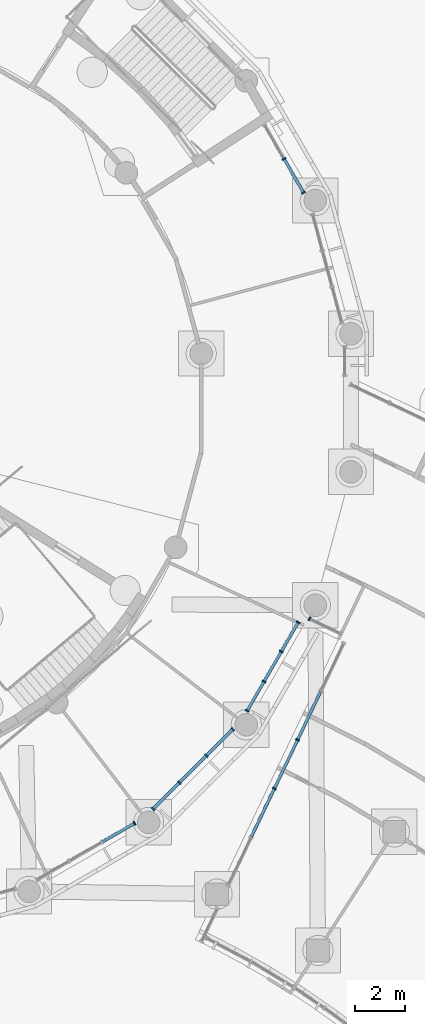
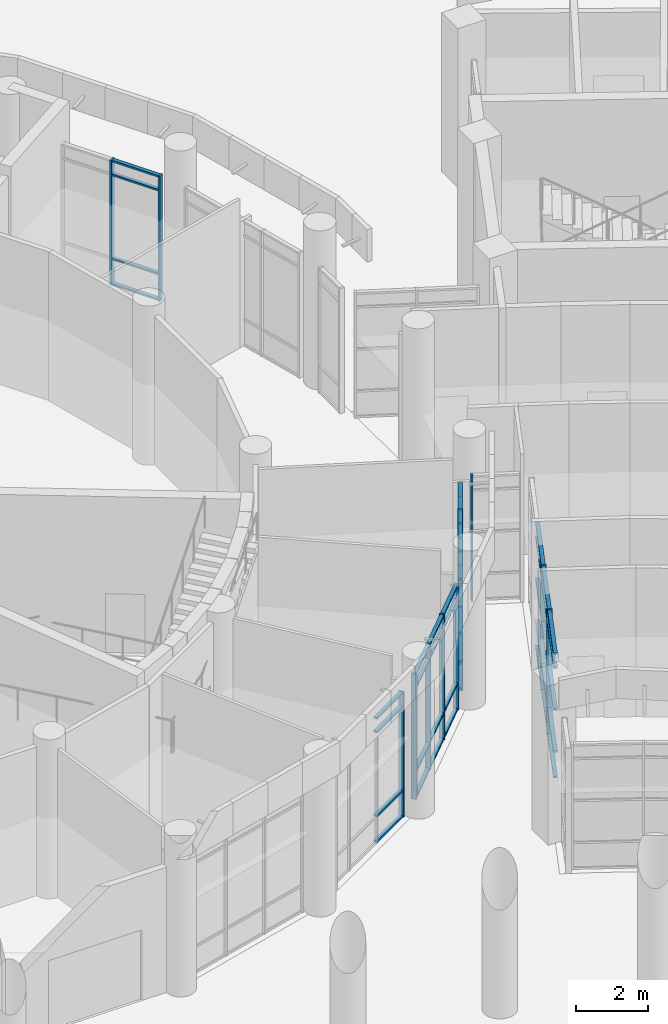
# One storey, part 22 of 146: 61 members, 6 elements without a shape of their own.
"""IFC4 building model written with IfcOpenShell, lengths in metres."""

from ifc_helpers import new_model, si_unit, direction, frame, origin, origin_2d, place, context, subcontext, project, spatial, rectangle, extrude, material, material_profile, profile_set, type_object, element, aggregate, save


model = new_model("IFC4")

# Units and contexts
model_context = context("Model", 3, precision=1e-05, world=origin(), true_north=direction((0.0, 1.0)))
body_context = subcontext(model_context, "Body", "Model", "MODEL_VIEW")
ifc_project = project(units=[si_unit("LENGTHUNIT", "METRE"), si_unit("AREAUNIT", "SQUARE_METRE"), si_unit("VOLUMEUNIT", "CUBIC_METRE"), si_unit("PLANEANGLEUNIT", "RADIAN"), si_unit("MASSUNIT", "GRAM", prefix="KILO")], contexts=[model_context])

# Site, building, storey
site_placement = place(None, origin())
site = spatial("IfcSite", under=ifc_project, at=site_placement, CompositionType="ELEMENT")
building_placement = place(site_placement, origin())
building = spatial("IfcBuilding", under=site, at=building_placement, Name="Bougainvillea Quay General Hospital", CompositionType="ELEMENT")
storey_placement = place(building_placement, origin())
storey = spatial("IfcBuildingStorey", under=building, at=storey_placement, Name="L00", CompositionType="ELEMENT", Elevation=0.0)

# Curtain wall, member
ifc_material_1 = material(Name="Aluminium curtain wall system, powder-coated glazed", Category="aluminium")
curtain_wall_type_1 = type_object("IfcCurtainWallType", Name="Unitised curtain wall CW-1422", PredefinedType="NOTDEFINED", material=ifc_material_1)
curtain_wall_1_placement = place(storey_placement, origin())
curtain_wall_1 = element("IfcCurtainWall", 1, at=curtain_wall_1_placement, inside=storey, type_object=curtain_wall_type_1, Name="CW-AE 00", PredefinedType="NOTDEFINED")
ifc_material_2 = material(Name="Aluminium mullion, powder-coated charcoal", Category="aluminium")
ifc_material_profile_1 = material_profile(ifc_material_2, rectangle(XDim=0.159912109375, YDim=0.06005859375, at=origin_2d()))
ifc_profile_set_1 = profile_set([ifc_material_profile_1], Name="Aluminium mullion, powder-coated charcoal")
member_type_1 = type_object("IfcMemberType", Name="Curtain wall mullion 160x60", PredefinedType="MULLION", material=ifc_profile_set_1)
member_1_placement = place(storey_placement, frame((128.371826171875, 65.4267578125, 0.0), z_axis=(0.0, 0.0, 1.0), x_axis=(0.430534245195, 0.902574242771, 0.0)))
member_1 = element("IfcMember", 2, at=member_1_placement, type_object=member_type_1, Name="CW-AE mullion 1", PredefinedType="MULLION", context=body_context, shape_type="SweptSolid", body=[
    extrude(rectangle(XDim=0.159912109375, YDim=0.06005859375, at=origin_2d()), origin(), (0.0, 0.0, 1.0), 4.25),
])
aggregate(curtain_wall_1, [member_1])

# Curtain wall, members
curtain_wall_type_2 = type_object("IfcCurtainWallType", Name="Unitised curtain wall CW-2147", PredefinedType="NOTDEFINED", material=ifc_material_1)
curtain_wall_2_placement = place(storey_placement, origin())
curtain_wall_2 = element("IfcCurtainWall", 3, at=curtain_wall_2_placement, inside=storey, type_object=curtain_wall_type_2, Name="CW-AE 00", PredefinedType="NOTDEFINED")
member_2_placement = place(storey_placement, frame((127.897705078125, 60.620361328125, 0.0), z_axis=(0.0, 0.0, 1.0), x_axis=(0.902576055431, -0.430530445105, 0.0)))
member_2 = element("IfcMember", 4, at=member_2_placement, type_object=member_type_1, Name="CW-AE mullion 3", PredefinedType="MULLION", context=body_context, shape_type="SweptSolid", body=[
    extrude(rectangle(XDim=0.159912109375, YDim=0.06005859375, at=origin_2d()), origin(), (0.0, 0.0, 1.0), 4.25),
])
member_3_placement = place(storey_placement, frame((126.973876953125, 58.68359375, 0.0), z_axis=(0.0, 0.0, 1.0), x_axis=(0.902576055431, -0.430530445105, 0.0)))
member_3 = element("IfcMember", 5, at=member_3_placement, type_object=member_type_1, Name="CW-AE mullion 4", PredefinedType="MULLION", context=body_context, shape_type="SweptSolid", body=[
    extrude(rectangle(XDim=0.159912109375, YDim=0.06005859375, at=origin_2d()), origin(), (0.0, 0.0, 1.0), 4.25),
])

curtain_wall_type_3 = type_object("IfcCurtainWallType", Name="Unitised curtain wall CW-1585", PredefinedType="NOTDEFINED", material=ifc_material_1)
curtain_wall_3_placement = place(storey_placement, origin())
curtain_wall_3 = element("IfcCurtainWall", 6, at=curtain_wall_3_placement, inside=storey, type_object=curtain_wall_type_3, Name="CW-D 00", PredefinedType="NOTDEFINED")
member_4_placement = place(storey_placement, frame((128.134521484375, 82.343994140625, 0.0), z_axis=(0.0, 0.0, 1.0), x_axis=(-0.866045865692, -0.499964557262, 0.0)))
member_4 = element("IfcMember", 7, at=member_4_placement, type_object=member_type_1, Name="CW-D mullion 1", PredefinedType="MULLION", context=body_context, shape_type="SweptSolid", body=[
    extrude(rectangle(XDim=0.159912109375, YDim=0.06005859375, at=origin_2d()), origin(), (0.0, 0.0, 1.0), 4.25),
])
member_5_placement = place(storey_placement, frame((127.357177734375, 83.690673828125, 0.0), z_axis=(0.0, 0.0, 1.0), x_axis=(-0.866045865692, -0.499964557262, 0.0)))
member_5 = element("IfcMember", 8, at=member_5_placement, type_object=member_type_1, Name="CW-D mullion 2", PredefinedType="MULLION", context=body_context, shape_type="SweptSolid", body=[
    extrude(rectangle(XDim=0.159912109375, YDim=0.06005859375, at=origin_2d()), origin(), (0.0, 0.0, 1.0), 4.25),
])

# Curtain wall, member
curtain_wall_type_4 = type_object("IfcCurtainWallType", Name="Unitised curtain wall CW-1515", PredefinedType="NOTDEFINED", material=ifc_material_1)
curtain_wall_4_placement = place(storey_placement, origin())
curtain_wall_4 = element("IfcCurtainWall", 9, at=curtain_wall_4_placement, inside=storey, type_object=curtain_wall_type_4, Name="CW-D 00", PredefinedType="NOTDEFINED")
member_6_placement = place(storey_placement, frame((121.426025390625, 57.306640625, 0.0), z_axis=(0.0, 0.0, 1.0), x_axis=(-0.499964557262, 0.866045865692, 0.0)))
member_6 = element("IfcMember", 10, at=member_6_placement, type_object=member_type_1, Name="CW-D mullion 4", PredefinedType="MULLION", context=body_context, shape_type="SweptSolid", body=[
    extrude(rectangle(XDim=0.159912109375, YDim=0.06005859375, at=origin_2d()), origin(), (0.0, 0.0, 1.0), 4.25),
])

# Curtain wall, members
curtain_wall_type_5 = type_object("IfcCurtainWallType", Name="Unitised curtain wall CW-1514", PredefinedType="NOTDEFINED", material=ifc_material_1)
curtain_wall_5_placement = place(storey_placement, origin())
curtain_wall_5 = element("IfcCurtainWall", 11, at=curtain_wall_5_placement, inside=storey, type_object=curtain_wall_type_5, Name="CW-D 00", PredefinedType="NOTDEFINED")
member_7_placement = place(storey_placement, frame((122.160888671875, 57.870361328125, 0.0), z_axis=(0.0, 0.0, 1.0), x_axis=(-0.707106781187, 0.707106781187, 0.0)))
member_7 = element("IfcMember", 12, at=member_7_placement, type_object=member_type_1, Name="CW-D mullion 1", PredefinedType="MULLION", context=body_context, shape_type="SweptSolid", body=[
    extrude(rectangle(XDim=0.159912109375, YDim=0.06005859375, at=origin_2d()), origin(), (0.0, 0.0, 1.0), 4.25),
])
member_8_placement = place(storey_placement, frame((123.2099609375, 58.919677734375, 0.0), z_axis=(0.0, 0.0, 1.0), x_axis=(-0.707106781187, 0.707106781187, 0.0)))
member_8 = element("IfcMember", 13, at=member_8_placement, type_object=member_type_1, Name="CW-D mullion 2", PredefinedType="MULLION", context=body_context, shape_type="SweptSolid", body=[
    extrude(rectangle(XDim=0.159912109375, YDim=0.06005859375, at=origin_2d()), origin(), (0.0, 0.0, 1.0), 4.25),
])
member_9_placement = place(storey_placement, frame((124.280517578125, 59.989990234375, 0.0), z_axis=(0.0, 0.0, 1.0), x_axis=(-0.707106781187, 0.707106781187, 0.0)))
member_9 = element("IfcMember", 14, at=member_9_placement, type_object=member_type_1, Name="CW-D mullion 3", PredefinedType="MULLION", context=body_context, shape_type="SweptSolid", body=[
    extrude(rectangle(XDim=0.159912109375, YDim=0.06005859375, at=origin_2d()), origin(), (0.0, 0.0, 1.0), 4.25),
])
member_10_placement = place(storey_placement, frame((125.32958984375, 61.039306640625, 0.0), z_axis=(0.0, 0.0, 1.0), x_axis=(-0.707106781187, 0.707106781187, 0.0)))
member_10 = element("IfcMember", 15, at=member_10_placement, type_object=member_type_1, Name="CW-D mullion 4", PredefinedType="MULLION", context=body_context, shape_type="SweptSolid", body=[
    extrude(rectangle(XDim=0.159912109375, YDim=0.06005859375, at=origin_2d()), origin(), (0.0, 0.0, 1.0), 4.25),
])

curtain_wall_type_6 = type_object("IfcCurtainWallType", Name="Unitised curtain wall CW-1373", PredefinedType="NOTDEFINED", material=ifc_material_1)
curtain_wall_6_placement = place(storey_placement, origin())
curtain_wall_6 = element("IfcCurtainWall", 16, at=curtain_wall_6_placement, inside=storey, type_object=curtain_wall_type_6, Name="CW-D 00", PredefinedType="NOTDEFINED")
member_11_placement = place(storey_placement, frame((125.8935546875, 61.77392578125, 0.0), z_axis=(0.0, 0.0, 1.0), x_axis=(-0.866047615473, 0.499961526253, 0.0)))
member_11 = element("IfcMember", 17, at=member_11_placement, type_object=member_type_1, Name="CW-D mullion 1", PredefinedType="MULLION", context=body_context, shape_type="SweptSolid", body=[
    extrude(rectangle(XDim=0.159912109375, YDim=0.06005859375, at=origin_2d()), origin(), (0.0, 0.0, 1.0), 4.25),
])
member_12_placement = place(storey_placement, frame((126.564453125, 62.936279296875, 0.0), z_axis=(0.0, 0.0, 1.0), x_axis=(-0.866047615473, 0.499961526253, 0.0)))
member_12 = element("IfcMember", 18, at=member_12_placement, type_object=member_type_1, Name="CW-D mullion 2", PredefinedType="MULLION", context=body_context, shape_type="SweptSolid", body=[
    extrude(rectangle(XDim=0.159912109375, YDim=0.06005859375, at=origin_2d()), origin(), (0.0, 0.0, 1.0), 4.25),
])
member_13_placement = place(storey_placement, frame((127.25048828125, 64.124755859375, 0.0), z_axis=(0.0, 0.0, 1.0), x_axis=(-0.866047615473, 0.499961526253, 0.0)))
member_13 = element("IfcMember", 19, at=member_13_placement, type_object=member_type_1, Name="CW-D mullion 3", PredefinedType="MULLION", context=body_context, shape_type="SweptSolid", body=[
    extrude(rectangle(XDim=0.159912109375, YDim=0.06005859375, at=origin_2d()), origin(), (0.0, 0.0, 1.0), 4.25),
])
member_14_placement = place(storey_placement, frame((127.92138671875, 65.287109375, 0.0), z_axis=(0.0, 0.0, 1.0), x_axis=(-0.866047615473, 0.499961526253, 0.0)))
member_14 = element("IfcMember", 20, at=member_14_placement, type_object=member_type_1, Name="CW-D mullion 4", PredefinedType="MULLION", context=body_context, shape_type="SweptSolid", body=[
    extrude(rectangle(XDim=0.159912109375, YDim=0.06005859375, at=origin_2d()), origin(), (0.0, 0.0, 1.0), 4.25),
])

# Member
ifc_material_3 = material(Name="Aluminium transom, powder-coated charcoal", Category="aluminium")
ifc_material_profile_2 = material_profile(ifc_material_3, rectangle(XDim=0.1201171875, YDim=0.06005859375, at=origin_2d()))
ifc_profile_set_2 = profile_set([ifc_material_profile_2], Name="Aluminium transom, powder-coated charcoal")
member_type_2 = type_object("IfcMemberType", Name="Curtain wall transom 120x60", PredefinedType="USERDEFINED", material=ifc_profile_set_2)
member_15_placement = place(storey_placement, frame((128.808837890625, 62.5302734375, 0.030029296875), z_axis=(-0.430564935029, -0.902559602865, 0.0), x_axis=(0.902559602865, -0.430564935029, 0.0)))
member_15 = element("IfcMember", 21, at=member_15_placement, type_object=member_type_2, Name="CW-AE transom 2.1", ObjectType="TRANSOM", PredefinedType="USERDEFINED", context=body_context, shape_type="SweptSolid", body=[
    extrude(rectangle(XDim=0.1201171875, YDim=0.06005859375, at=origin_2d()), origin(), (0.0, 0.0, 1.0), 2.086181640625),
])

member_16_placement = place(storey_placement, frame((128.808837890625, 62.5302734375, 0.89990234375), z_axis=(-0.430564935029, -0.902559602865, 0.0), x_axis=(0.902559602865, -0.430564935029, 0.0)))
member_16 = element("IfcMember", 22, at=member_16_placement, type_object=member_type_2, Name="CW-AE transom 2.2", ObjectType="TRANSOM", PredefinedType="USERDEFINED", context=body_context, shape_type="SweptSolid", body=[
    extrude(rectangle(XDim=0.1201171875, YDim=0.06005859375, at=origin_2d()), origin(), (0.0, 0.0, 1.0), 2.086181640625),
])

member_17_placement = place(storey_placement, frame((128.808837890625, 62.5302734375, 2.324951171875), z_axis=(-0.430564935029, -0.902559602865, 0.0), x_axis=(0.902559602865, -0.430564935029, 0.0)))
member_17 = element("IfcMember", 23, at=member_17_placement, type_object=member_type_2, Name="CW-AE transom 2.3", ObjectType="TRANSOM", PredefinedType="USERDEFINED", context=body_context, shape_type="SweptSolid", body=[
    extrude(rectangle(XDim=0.1201171875, YDim=0.06005859375, at=origin_2d()), origin(), (0.0, 0.0, 1.0), 2.086181640625),
])

member_18_placement = place(storey_placement, frame((128.808837890625, 62.5302734375, 3.75), z_axis=(-0.430564935029, -0.902559602865, 0.0), x_axis=(0.902559602865, -0.430564935029, 0.0)))
member_18 = element("IfcMember", 24, at=member_18_placement, type_object=member_type_2, Name="CW-AE transom 2.4", ObjectType="TRANSOM", PredefinedType="USERDEFINED", context=body_context, shape_type="SweptSolid", body=[
    extrude(rectangle(XDim=0.1201171875, YDim=0.06005859375, at=origin_2d()), origin(), (0.0, 0.0, 1.0), 2.086181640625),
])

member_19_placement = place(storey_placement, frame((128.808837890625, 62.5302734375, 4.219970703125), z_axis=(-0.430564935029, -0.902559602865, 0.0), x_axis=(0.902559602865, -0.430564935029, 0.0)))
member_19 = element("IfcMember", 25, at=member_19_placement, type_object=member_type_2, Name="CW-AE transom 2.5", ObjectType="TRANSOM", PredefinedType="USERDEFINED", context=body_context, shape_type="SweptSolid", body=[
    extrude(rectangle(XDim=0.1201171875, YDim=0.06005859375, at=origin_2d()), origin(), (0.0, 0.0, 1.0), 2.086181640625),
])

member_20_placement = place(storey_placement, frame((127.884765625, 60.59326171875, 0.030029296875), z_axis=(-0.430515070084, -0.902583389184, 0.0), x_axis=(0.902583389184, -0.430515070084, 0.0)))
member_20 = element("IfcMember", 26, at=member_20_placement, type_object=member_type_2, Name="CW-AE transom 3.1", ObjectType="TRANSOM", PredefinedType="USERDEFINED", context=body_context, shape_type="SweptSolid", body=[
    extrude(rectangle(XDim=0.1201171875, YDim=0.06005859375, at=origin_2d()), origin(), (0.0, 0.0, 1.0), 2.085693359375),
])

member_21_placement = place(storey_placement, frame((127.884765625, 60.59326171875, 0.89990234375), z_axis=(-0.430515070084, -0.902583389184, 0.0), x_axis=(0.902583389184, -0.430515070084, 0.0)))
member_21 = element("IfcMember", 27, at=member_21_placement, type_object=member_type_2, Name="CW-AE transom 3.2", ObjectType="TRANSOM", PredefinedType="USERDEFINED", context=body_context, shape_type="SweptSolid", body=[
    extrude(rectangle(XDim=0.1201171875, YDim=0.06005859375, at=origin_2d()), origin(), (0.0, 0.0, 1.0), 2.085693359375),
])

member_22_placement = place(storey_placement, frame((127.884765625, 60.59326171875, 2.324951171875), z_axis=(-0.430515070084, -0.902583389184, 0.0), x_axis=(0.902583389184, -0.430515070084, 0.0)))
member_22 = element("IfcMember", 28, at=member_22_placement, type_object=member_type_2, Name="CW-AE transom 3.3", ObjectType="TRANSOM", PredefinedType="USERDEFINED", context=body_context, shape_type="SweptSolid", body=[
    extrude(rectangle(XDim=0.1201171875, YDim=0.06005859375, at=origin_2d()), origin(), (0.0, 0.0, 1.0), 2.085693359375),
])

member_23_placement = place(storey_placement, frame((127.884765625, 60.59326171875, 3.75), z_axis=(-0.430515070084, -0.902583389184, 0.0), x_axis=(0.902583389184, -0.430515070084, 0.0)))
member_23 = element("IfcMember", 29, at=member_23_placement, type_object=member_type_2, Name="CW-AE transom 3.4", ObjectType="TRANSOM", PredefinedType="USERDEFINED", context=body_context, shape_type="SweptSolid", body=[
    extrude(rectangle(XDim=0.1201171875, YDim=0.06005859375, at=origin_2d()), origin(), (0.0, 0.0, 1.0), 2.085693359375),
])

member_24_placement = place(storey_placement, frame((127.884765625, 60.59326171875, 4.219970703125), z_axis=(-0.430515070084, -0.902583389184, 0.0), x_axis=(0.902583389184, -0.430515070084, 0.0)))
member_24 = element("IfcMember", 30, at=member_24_placement, type_object=member_type_2, Name="CW-AE transom 3.5", ObjectType="TRANSOM", PredefinedType="USERDEFINED", context=body_context, shape_type="SweptSolid", body=[
    extrude(rectangle(XDim=0.1201171875, YDim=0.06005859375, at=origin_2d()), origin(), (0.0, 0.0, 1.0), 2.085693359375),
])

member_25_placement = place(storey_placement, frame((126.9609375, 58.656494140625, 0.030029296875), z_axis=(-0.430564935029, -0.902559602865, 0.0), x_axis=(0.902559602865, -0.430564935029, 0.0)))
member_25 = element("IfcMember", 31, at=member_25_placement, type_object=member_type_2, Name="CW-AE transom 4.1", ObjectType="TRANSOM", PredefinedType="USERDEFINED", context=body_context, shape_type="SweptSolid", body=[
    extrude(rectangle(XDim=0.1201171875, YDim=0.06005859375, at=origin_2d()), origin(), (0.0, 0.0, 1.0), 2.086181640625),
])

member_26_placement = place(storey_placement, frame((126.9609375, 58.656494140625, 0.89990234375), z_axis=(-0.430564935029, -0.902559602865, 0.0), x_axis=(0.902559602865, -0.430564935029, 0.0)))
member_26 = element("IfcMember", 32, at=member_26_placement, type_object=member_type_2, Name="CW-AE transom 4.2", ObjectType="TRANSOM", PredefinedType="USERDEFINED", context=body_context, shape_type="SweptSolid", body=[
    extrude(rectangle(XDim=0.1201171875, YDim=0.06005859375, at=origin_2d()), origin(), (0.0, 0.0, 1.0), 2.086181640625),
])

member_27_placement = place(storey_placement, frame((126.9609375, 58.656494140625, 2.324951171875), z_axis=(-0.430564935029, -0.902559602865, 0.0), x_axis=(0.902559602865, -0.430564935029, 0.0)))
member_27 = element("IfcMember", 33, at=member_27_placement, type_object=member_type_2, Name="CW-AE transom 4.3", ObjectType="TRANSOM", PredefinedType="USERDEFINED", context=body_context, shape_type="SweptSolid", body=[
    extrude(rectangle(XDim=0.1201171875, YDim=0.06005859375, at=origin_2d()), origin(), (0.0, 0.0, 1.0), 2.086181640625),
])

member_28_placement = place(storey_placement, frame((126.9609375, 58.656494140625, 3.75), z_axis=(-0.430564935029, -0.902559602865, 0.0), x_axis=(0.902559602865, -0.430564935029, 0.0)))
member_28 = element("IfcMember", 34, at=member_28_placement, type_object=member_type_2, Name="CW-AE transom 4.4", ObjectType="TRANSOM", PredefinedType="USERDEFINED", context=body_context, shape_type="SweptSolid", body=[
    extrude(rectangle(XDim=0.1201171875, YDim=0.06005859375, at=origin_2d()), origin(), (0.0, 0.0, 1.0), 2.086181640625),
])

member_29_placement = place(storey_placement, frame((126.9609375, 58.656494140625, 4.219970703125), z_axis=(-0.430564935029, -0.902559602865, 0.0), x_axis=(0.902559602865, -0.430564935029, 0.0)))
member_29 = element("IfcMember", 35, at=member_29_placement, type_object=member_type_2, Name="CW-AE transom 4.5", ObjectType="TRANSOM", PredefinedType="USERDEFINED", context=body_context, shape_type="SweptSolid", body=[
    extrude(rectangle(XDim=0.1201171875, YDim=0.06005859375, at=origin_2d()), origin(), (0.0, 0.0, 1.0), 2.086181640625),
])

aggregate(curtain_wall_2, [member_2, member_3, member_15, member_16, member_17, member_18, member_19, member_20, member_21, member_22, member_23, member_24, member_25, member_26, member_27, member_28, member_29])

member_30_placement = place(storey_placement, frame((128.11962890625, 82.3701171875, 0.030029296875), z_axis=(-0.500108879088, 0.865962533287, 0.0), x_axis=(-0.865962533287, -0.500108879088, 0.0)))
member_30 = element("IfcMember", 36, at=member_30_placement, type_object=member_type_2, Name="CW-D transom 1.1", ObjectType="TRANSOM", PredefinedType="USERDEFINED", context=body_context, shape_type="SweptSolid", body=[
    extrude(rectangle(XDim=0.1201171875, YDim=0.06005859375, at=origin_2d()), origin(), (0.0, 0.0, 1.0), 1.494873046875),
])

member_31_placement = place(storey_placement, frame((128.11962890625, 82.3701171875, 0.89990234375), z_axis=(-0.500108879088, 0.865962533287, 0.0), x_axis=(-0.865962533287, -0.500108879088, 0.0)))
member_31 = element("IfcMember", 37, at=member_31_placement, type_object=member_type_2, Name="CW-D transom 1.2", ObjectType="TRANSOM", PredefinedType="USERDEFINED", context=body_context, shape_type="SweptSolid", body=[
    extrude(rectangle(XDim=0.1201171875, YDim=0.06005859375, at=origin_2d()), origin(), (0.0, 0.0, 1.0), 1.494873046875),
])

member_32_placement = place(storey_placement, frame((128.11962890625, 82.3701171875, 3.75), z_axis=(-0.500108879088, 0.865962533287, 0.0), x_axis=(-0.865962533287, -0.500108879088, 0.0)))
member_32 = element("IfcMember", 38, at=member_32_placement, type_object=member_type_2, Name="CW-D transom 1.3", ObjectType="TRANSOM", PredefinedType="USERDEFINED", context=body_context, shape_type="SweptSolid", body=[
    extrude(rectangle(XDim=0.1201171875, YDim=0.06005859375, at=origin_2d()), origin(), (0.0, 0.0, 1.0), 1.494873046875),
])

member_33_placement = place(storey_placement, frame((128.11962890625, 82.3701171875, 4.219970703125), z_axis=(-0.500108879088, 0.865962533287, 0.0), x_axis=(-0.865962533287, -0.500108879088, 0.0)))
member_33 = element("IfcMember", 39, at=member_33_placement, type_object=member_type_2, Name="CW-D transom 1.4", ObjectType="TRANSOM", PredefinedType="USERDEFINED", context=body_context, shape_type="SweptSolid", body=[
    extrude(rectangle(XDim=0.1201171875, YDim=0.06005859375, at=origin_2d()), origin(), (0.0, 0.0, 1.0), 1.494873046875),
])

aggregate(curtain_wall_3, [member_4, member_5, member_30, member_31, member_32, member_33])

member_34_placement = place(storey_placement, frame((120.166748046875, 56.57958984375, 0.030029296875), z_axis=(0.866039970803, 0.499974768335, 0.0), x_axis=(-0.499974768335, 0.866039970803, 0.0)))
member_34 = element("IfcMember", 40, at=member_34_placement, type_object=member_type_2, Name="CW-D transom 3.1", ObjectType="TRANSOM", PredefinedType="USERDEFINED", context=body_context, shape_type="SweptSolid", body=[
    extrude(rectangle(XDim=0.1201171875, YDim=0.06005859375, at=origin_2d()), origin(), (0.0, 0.0, 1.0), 1.423828125),
])

member_35_placement = place(storey_placement, frame((120.166748046875, 56.57958984375, 0.89990234375), z_axis=(0.866039970803, 0.499974768335, 0.0), x_axis=(-0.499974768335, 0.866039970803, 0.0)))
member_35 = element("IfcMember", 41, at=member_35_placement, type_object=member_type_2, Name="CW-D transom 3.2", ObjectType="TRANSOM", PredefinedType="USERDEFINED", context=body_context, shape_type="SweptSolid", body=[
    extrude(rectangle(XDim=0.1201171875, YDim=0.06005859375, at=origin_2d()), origin(), (0.0, 0.0, 1.0), 1.423828125),
])

member_36_placement = place(storey_placement, frame((120.166748046875, 56.57958984375, 3.75), z_axis=(0.866039970803, 0.499974768335, 0.0), x_axis=(-0.499974768335, 0.866039970803, 0.0)))
member_36 = element("IfcMember", 42, at=member_36_placement, type_object=member_type_2, Name="CW-D transom 3.3", ObjectType="TRANSOM", PredefinedType="USERDEFINED", context=body_context, shape_type="SweptSolid", body=[
    extrude(rectangle(XDim=0.1201171875, YDim=0.06005859375, at=origin_2d()), origin(), (0.0, 0.0, 1.0), 1.423828125),
])

member_37_placement = place(storey_placement, frame((120.166748046875, 56.57958984375, 4.219970703125), z_axis=(0.866039970803, 0.499974768335, 0.0), x_axis=(-0.499974768335, 0.866039970803, 0.0)))
member_37 = element("IfcMember", 43, at=member_37_placement, type_object=member_type_2, Name="CW-D transom 3.4", ObjectType="TRANSOM", PredefinedType="USERDEFINED", context=body_context, shape_type="SweptSolid", body=[
    extrude(rectangle(XDim=0.1201171875, YDim=0.06005859375, at=origin_2d()), origin(), (0.0, 0.0, 1.0), 1.423828125),
])

aggregate(curtain_wall_4, [member_6, member_34, member_35, member_36, member_37])

member_38_placement = place(storey_placement, frame((122.181884765625, 57.8916015625, 0.030029296875), z_axis=(0.707106781187, 0.707106781187, 0.0), x_axis=(-0.707106781187, 0.707106781187, 0.0)))
member_38 = element("IfcMember", 44, at=member_38_placement, type_object=member_type_2, Name="CW-D transom 1.1", ObjectType="TRANSOM", PredefinedType="USERDEFINED", context=body_context, shape_type="SweptSolid", body=[
    extrude(rectangle(XDim=0.1201171875, YDim=0.06005859375, at=origin_2d()), origin(), (0.0, 0.0, 1.0), 1.423828125),
])

member_39_placement = place(storey_placement, frame((122.181884765625, 57.8916015625, 0.89990234375), z_axis=(0.707106781187, 0.707106781187, 0.0), x_axis=(-0.707106781187, 0.707106781187, 0.0)))
member_39 = element("IfcMember", 45, at=member_39_placement, type_object=member_type_2, Name="CW-D transom 1.2", ObjectType="TRANSOM", PredefinedType="USERDEFINED", context=body_context, shape_type="SweptSolid", body=[
    extrude(rectangle(XDim=0.1201171875, YDim=0.06005859375, at=origin_2d()), origin(), (0.0, 0.0, 1.0), 1.423828125),
])

member_40_placement = place(storey_placement, frame((122.181884765625, 57.8916015625, 3.75), z_axis=(0.707106781187, 0.707106781187, 0.0), x_axis=(-0.707106781187, 0.707106781187, 0.0)))
member_40 = element("IfcMember", 46, at=member_40_placement, type_object=member_type_2, Name="CW-D transom 1.3", ObjectType="TRANSOM", PredefinedType="USERDEFINED", context=body_context, shape_type="SweptSolid", body=[
    extrude(rectangle(XDim=0.1201171875, YDim=0.06005859375, at=origin_2d()), origin(), (0.0, 0.0, 1.0), 1.423828125),
])

member_41_placement = place(storey_placement, frame((122.181884765625, 57.8916015625, 4.219970703125), z_axis=(0.707106781187, 0.707106781187, 0.0), x_axis=(-0.707106781187, 0.707106781187, 0.0)))
member_41 = element("IfcMember", 47, at=member_41_placement, type_object=member_type_2, Name="CW-D transom 1.4", ObjectType="TRANSOM", PredefinedType="USERDEFINED", context=body_context, shape_type="SweptSolid", body=[
    extrude(rectangle(XDim=0.1201171875, YDim=0.06005859375, at=origin_2d()), origin(), (0.0, 0.0, 1.0), 1.423828125),
])

member_42_placement = place(storey_placement, frame((123.231201171875, 58.940673828125, 0.030029296875), z_axis=(0.707106781187, 0.707106781187, 0.0), x_axis=(-0.707106781187, 0.707106781187, 0.0)))
member_42 = element("IfcMember", 48, at=member_42_placement, type_object=member_type_2, Name="CW-D transom 2.1", ObjectType="TRANSOM", PredefinedType="USERDEFINED", context=body_context, shape_type="SweptSolid", body=[
    extrude(rectangle(XDim=0.1201171875, YDim=0.06005859375, at=origin_2d()), origin(), (0.0, 0.0, 1.0), 1.453857421875),
])

member_43_placement = place(storey_placement, frame((123.231201171875, 58.940673828125, 0.89990234375), z_axis=(0.707106781187, 0.707106781187, 0.0), x_axis=(-0.707106781187, 0.707106781187, 0.0)))
member_43 = element("IfcMember", 49, at=member_43_placement, type_object=member_type_2, Name="CW-D transom 2.2", ObjectType="TRANSOM", PredefinedType="USERDEFINED", context=body_context, shape_type="SweptSolid", body=[
    extrude(rectangle(XDim=0.1201171875, YDim=0.06005859375, at=origin_2d()), origin(), (0.0, 0.0, 1.0), 1.453857421875),
])

member_44_placement = place(storey_placement, frame((123.231201171875, 58.940673828125, 3.75), z_axis=(0.707106781187, 0.707106781187, 0.0), x_axis=(-0.707106781187, 0.707106781187, 0.0)))
member_44 = element("IfcMember", 50, at=member_44_placement, type_object=member_type_2, Name="CW-D transom 2.3", ObjectType="TRANSOM", PredefinedType="USERDEFINED", context=body_context, shape_type="SweptSolid", body=[
    extrude(rectangle(XDim=0.1201171875, YDim=0.06005859375, at=origin_2d()), origin(), (0.0, 0.0, 1.0), 1.453857421875),
])

member_45_placement = place(storey_placement, frame((123.231201171875, 58.940673828125, 4.219970703125), z_axis=(0.707106781187, 0.707106781187, 0.0), x_axis=(-0.707106781187, 0.707106781187, 0.0)))
member_45 = element("IfcMember", 51, at=member_45_placement, type_object=member_type_2, Name="CW-D transom 2.4", ObjectType="TRANSOM", PredefinedType="USERDEFINED", context=body_context, shape_type="SweptSolid", body=[
    extrude(rectangle(XDim=0.1201171875, YDim=0.06005859375, at=origin_2d()), origin(), (0.0, 0.0, 1.0), 1.453857421875),
])

member_46_placement = place(storey_placement, frame((124.3017578125, 60.01123046875, 0.030029296875), z_axis=(0.707021034897, 0.707192517079, 0.0), x_axis=(-0.707192517079, 0.707021034897, 0.0)))
member_46 = element("IfcMember", 52, at=member_46_placement, type_object=member_type_2, Name="CW-D transom 3.1", ObjectType="TRANSOM", PredefinedType="USERDEFINED", context=body_context, shape_type="SweptSolid", body=[
    extrude(rectangle(XDim=0.1201171875, YDim=0.06005859375, at=origin_2d()), origin(), (0.0, 0.0, 1.0), 1.423828125),
])

member_47_placement = place(storey_placement, frame((124.3017578125, 60.01123046875, 0.89990234375), z_axis=(0.707021034897, 0.707192517079, 0.0), x_axis=(-0.707192517079, 0.707021034897, 0.0)))
member_47 = element("IfcMember", 53, at=member_47_placement, type_object=member_type_2, Name="CW-D transom 3.2", ObjectType="TRANSOM", PredefinedType="USERDEFINED", context=body_context, shape_type="SweptSolid", body=[
    extrude(rectangle(XDim=0.1201171875, YDim=0.06005859375, at=origin_2d()), origin(), (0.0, 0.0, 1.0), 1.423828125),
])

member_48_placement = place(storey_placement, frame((124.3017578125, 60.01123046875, 3.75), z_axis=(0.707021034897, 0.707192517079, 0.0), x_axis=(-0.707192517079, 0.707021034897, 0.0)))
member_48 = element("IfcMember", 54, at=member_48_placement, type_object=member_type_2, Name="CW-D transom 3.3", ObjectType="TRANSOM", PredefinedType="USERDEFINED", context=body_context, shape_type="SweptSolid", body=[
    extrude(rectangle(XDim=0.1201171875, YDim=0.06005859375, at=origin_2d()), origin(), (0.0, 0.0, 1.0), 1.423828125),
])

member_49_placement = place(storey_placement, frame((124.3017578125, 60.01123046875, 4.219970703125), z_axis=(0.707021034897, 0.707192517079, 0.0), x_axis=(-0.707192517079, 0.707021034897, 0.0)))
member_49 = element("IfcMember", 55, at=member_49_placement, type_object=member_type_2, Name="CW-D transom 3.4", ObjectType="TRANSOM", PredefinedType="USERDEFINED", context=body_context, shape_type="SweptSolid", body=[
    extrude(rectangle(XDim=0.1201171875, YDim=0.06005859375, at=origin_2d()), origin(), (0.0, 0.0, 1.0), 1.423828125),
])

aggregate(curtain_wall_5, [member_7, member_8, member_9, member_10, member_38, member_39, member_40, member_41, member_42, member_43, member_44, member_45, member_46, member_47, member_48, member_49])

member_50_placement = place(storey_placement, frame((125.908447265625, 61.800048828125, 0.030029296875), z_axis=(0.500030129425, 0.866008007854, 0.0), x_axis=(-0.866008007854, 0.500030129425, 0.0)))
member_50 = element("IfcMember", 56, at=member_50_placement, type_object=member_type_2, Name="CW-D transom 1.1", ObjectType="TRANSOM", PredefinedType="USERDEFINED", context=body_context, shape_type="SweptSolid", body=[
    extrude(rectangle(XDim=0.1201171875, YDim=0.06005859375, at=origin_2d()), origin(), (0.0, 0.0, 1.0), 1.2822265625),
])

member_51_placement = place(storey_placement, frame((125.908447265625, 61.800048828125, 0.89990234375), z_axis=(0.500030129425, 0.866008007854, 0.0), x_axis=(-0.866008007854, 0.500030129425, 0.0)))
member_51 = element("IfcMember", 57, at=member_51_placement, type_object=member_type_2, Name="CW-D transom 1.2", ObjectType="TRANSOM", PredefinedType="USERDEFINED", context=body_context, shape_type="SweptSolid", body=[
    extrude(rectangle(XDim=0.1201171875, YDim=0.06005859375, at=origin_2d()), origin(), (0.0, 0.0, 1.0), 1.2822265625),
])

member_52_placement = place(storey_placement, frame((125.908447265625, 61.800048828125, 3.75), z_axis=(0.500030129425, 0.866008007854, 0.0), x_axis=(-0.866008007854, 0.500030129425, 0.0)))
member_52 = element("IfcMember", 58, at=member_52_placement, type_object=member_type_2, Name="CW-D transom 1.3", ObjectType="TRANSOM", PredefinedType="USERDEFINED", context=body_context, shape_type="SweptSolid", body=[
    extrude(rectangle(XDim=0.1201171875, YDim=0.06005859375, at=origin_2d()), origin(), (0.0, 0.0, 1.0), 1.2822265625),
])

member_53_placement = place(storey_placement, frame((125.908447265625, 61.800048828125, 4.219970703125), z_axis=(0.500030129425, 0.866008007854, 0.0), x_axis=(-0.866008007854, 0.500030129425, 0.0)))
member_53 = element("IfcMember", 59, at=member_53_placement, type_object=member_type_2, Name="CW-D transom 1.4", ObjectType="TRANSOM", PredefinedType="USERDEFINED", context=body_context, shape_type="SweptSolid", body=[
    extrude(rectangle(XDim=0.1201171875, YDim=0.06005859375, at=origin_2d()), origin(), (0.0, 0.0, 1.0), 1.2822265625),
])

member_54_placement = place(storey_placement, frame((126.57958984375, 62.96240234375, 0.030029296875), z_axis=(0.500001653409, 0.866024449186, 0.0), x_axis=(-0.866024449186, 0.500001653409, 0.0)))
member_54 = element("IfcMember", 60, at=member_54_placement, type_object=member_type_2, Name="CW-D transom 2.1", ObjectType="TRANSOM", PredefinedType="USERDEFINED", context=body_context, shape_type="SweptSolid", body=[
    extrude(rectangle(XDim=0.1201171875, YDim=0.06005859375, at=origin_2d()), origin(), (0.0, 0.0, 1.0), 1.31201171875),
])

member_55_placement = place(storey_placement, frame((126.57958984375, 62.96240234375, 0.89990234375), z_axis=(0.500001653409, 0.866024449186, 0.0), x_axis=(-0.866024449186, 0.500001653409, 0.0)))
member_55 = element("IfcMember", 61, at=member_55_placement, type_object=member_type_2, Name="CW-D transom 2.2", ObjectType="TRANSOM", PredefinedType="USERDEFINED", context=body_context, shape_type="SweptSolid", body=[
    extrude(rectangle(XDim=0.1201171875, YDim=0.06005859375, at=origin_2d()), origin(), (0.0, 0.0, 1.0), 1.31201171875),
])

member_56_placement = place(storey_placement, frame((126.57958984375, 62.96240234375, 3.75), z_axis=(0.500001653409, 0.866024449186, 0.0), x_axis=(-0.866024449186, 0.500001653409, 0.0)))
member_56 = element("IfcMember", 62, at=member_56_placement, type_object=member_type_2, Name="CW-D transom 2.3", ObjectType="TRANSOM", PredefinedType="USERDEFINED", context=body_context, shape_type="SweptSolid", body=[
    extrude(rectangle(XDim=0.1201171875, YDim=0.06005859375, at=origin_2d()), origin(), (0.0, 0.0, 1.0), 1.31201171875),
])

member_57_placement = place(storey_placement, frame((126.57958984375, 62.96240234375, 4.219970703125), z_axis=(0.500001653409, 0.866024449186, 0.0), x_axis=(-0.866024449186, 0.500001653409, 0.0)))
member_57 = element("IfcMember", 63, at=member_57_placement, type_object=member_type_2, Name="CW-D transom 2.4", ObjectType="TRANSOM", PredefinedType="USERDEFINED", context=body_context, shape_type="SweptSolid", body=[
    extrude(rectangle(XDim=0.1201171875, YDim=0.06005859375, at=origin_2d()), origin(), (0.0, 0.0, 1.0), 1.31201171875),
])

member_58_placement = place(storey_placement, frame((127.265380859375, 64.150634765625, 0.030029296875), z_axis=(0.500030129425, 0.866008007854, 0.0), x_axis=(-0.866008007854, 0.500030129425, 0.0)))
member_58 = element("IfcMember", 64, at=member_58_placement, type_object=member_type_2, Name="CW-D transom 3.1", ObjectType="TRANSOM", PredefinedType="USERDEFINED", context=body_context, shape_type="SweptSolid", body=[
    extrude(rectangle(XDim=0.1201171875, YDim=0.06005859375, at=origin_2d()), origin(), (0.0, 0.0, 1.0), 1.2822265625),
])

member_59_placement = place(storey_placement, frame((127.265380859375, 64.150634765625, 0.89990234375), z_axis=(0.500030129425, 0.866008007854, 0.0), x_axis=(-0.866008007854, 0.500030129425, 0.0)))
member_59 = element("IfcMember", 65, at=member_59_placement, type_object=member_type_2, Name="CW-D transom 3.2", ObjectType="TRANSOM", PredefinedType="USERDEFINED", context=body_context, shape_type="SweptSolid", body=[
    extrude(rectangle(XDim=0.1201171875, YDim=0.06005859375, at=origin_2d()), origin(), (0.0, 0.0, 1.0), 1.2822265625),
])

member_60_placement = place(storey_placement, frame((127.265380859375, 64.150634765625, 3.75), z_axis=(0.500030129425, 0.866008007854, 0.0), x_axis=(-0.866008007854, 0.500030129425, 0.0)))
member_60 = element("IfcMember", 66, at=member_60_placement, type_object=member_type_2, Name="CW-D transom 3.3", ObjectType="TRANSOM", PredefinedType="USERDEFINED", context=body_context, shape_type="SweptSolid", body=[
    extrude(rectangle(XDim=0.1201171875, YDim=0.06005859375, at=origin_2d()), origin(), (0.0, 0.0, 1.0), 1.2822265625),
])

member_61_placement = place(storey_placement, frame((127.265380859375, 64.150634765625, 4.219970703125), z_axis=(0.500030129425, 0.866008007854, 0.0), x_axis=(-0.866008007854, 0.500030129425, 0.0)))
member_61 = element("IfcMember", 67, at=member_61_placement, type_object=member_type_2, Name="CW-D transom 3.4", ObjectType="TRANSOM", PredefinedType="USERDEFINED", context=body_context, shape_type="SweptSolid", body=[
    extrude(rectangle(XDim=0.1201171875, YDim=0.06005859375, at=origin_2d()), origin(), (0.0, 0.0, 1.0), 1.2822265625),
])

aggregate(curtain_wall_6, [member_11, member_12, member_13, member_14, member_50, member_51, member_52, member_53, member_54, member_55, member_56, member_57, member_58, member_59, member_60, member_61])

save(model, "model.ifc")
